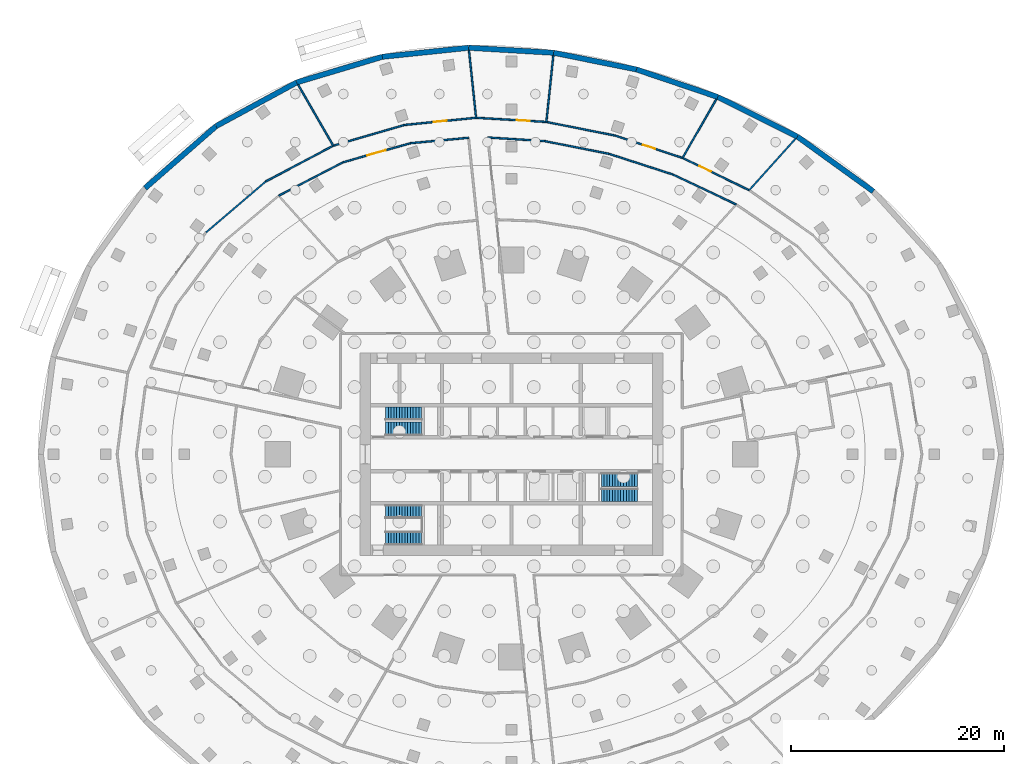
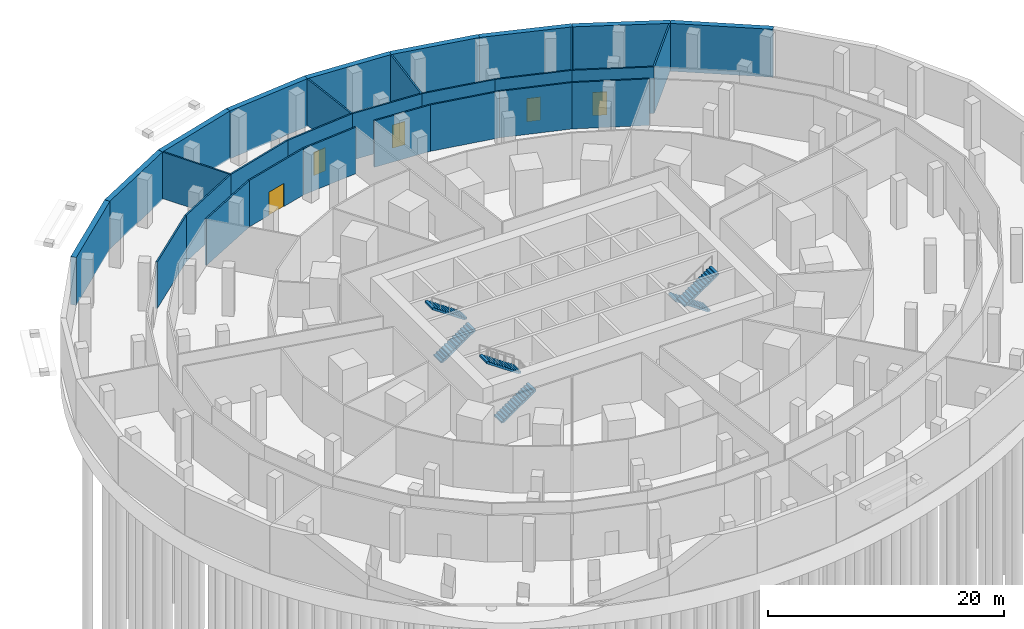
# One storey, part 9 of 11: 29 walls, 6 stair flights, 5 doors, 5 openings, 3 elements without a shape of their own.
"""IFC4 building model written with IfcOpenShell, lengths in metres."""

from ifc_helpers import new_model, si_unit, direction, frame, frame_2d, origin, place, context, subcontext, project, spatial, polyline, rectangle, outline, extrude, material, layer, layer_set, type_object, element, fill, aggregate, save


model = new_model("IFC4")

# Units and contexts
model_context = context("Model", 3, precision=1e-05, world=origin(), true_north=direction((0.0, 1.0)))
body_context = subcontext(model_context, "Body", "Model", "MODEL_VIEW")
ifc_project = project(units=[si_unit("LENGTHUNIT", "METRE"), si_unit("AREAUNIT", "SQUARE_METRE"), si_unit("VOLUMEUNIT", "CUBIC_METRE"), si_unit("PLANEANGLEUNIT", "RADIAN"), si_unit("MASSUNIT", "GRAM", prefix="KILO")], contexts=[model_context])

# Site, building, storey
site_placement = place(None, origin())
site = spatial("IfcSite", under=ifc_project, at=site_placement, CompositionType="ELEMENT")
building_placement = place(site_placement, origin())
building = spatial("IfcBuilding", under=site, at=building_placement, Name="Marramba Exchange Tower", CompositionType="ELEMENT")
storey_placement = place(building_placement, frame((0.0, 0.0, -5.0)))
storey = spatial("IfcBuildingStorey", under=building, at=storey_placement, Name="B1", CompositionType="ELEMENT", Elevation=-5.0)

# Walls
ifc_material_1 = material(Name="Concrete N50", Category="concrete")
ifc_layer_1 = layer(ifc_material_1, 0.5)
ifc_layer_set_1 = layer_set([ifc_layer_1], Name="Basement retaining wall 500")
wall_type_1 = type_object("IfcWallType", Name="Basement retaining wall 500", PredefinedType="SOLIDWALL", material=ifc_layer_set_1)
wall_1_placement = place(storey_placement, frame((33.901123046875, 24.630615234375, -0.14990234375), z_axis=(0.0, 0.0, 1.0), x_axis=(-0.810809240523, 0.585310494937, 0.0)))
element("IfcWall", 1, at=wall_1_placement, inside=storey, type_object=wall_type_1, Name="Retaining wall RW1-04", PredefinedType="SOLIDWALL", context=body_context, shape_type="SweptSolid", body=[
    extrude(rectangle(XDim=8.76318359375, YDim=0.5, at=frame_2d((4.381591796875, 0.0))), origin(), (0.0, 0.0, 1.0), 4.949951171875),
])
wall_2_placement = place(storey_placement, frame((26.7958984375, 29.759765625, -0.14990234375), z_axis=(0.0, 0.0, 1.0), x_axis=(-0.895437485693, 0.44518727432, 0.0)))
element("IfcWall", 2, at=wall_2_placement, inside=storey, type_object=wall_type_1, Name="Retaining wall RW1-05", PredefinedType="SOLIDWALL", context=body_context, shape_type="SweptSolid", body=[
    extrude(rectangle(XDim=8.34228515625, YDim=0.5, at=frame_2d((4.171142578125, 0.0))), origin(), (0.0, 0.0, 1.0), 4.949951171875),
])
wall_3_placement = place(storey_placement, frame((19.325927734375, 33.4736328125, -0.14990234375), z_axis=(0.0, 0.0, 1.0), x_axis=(-0.94711032906, 0.320908124838, 0.0)))
element("IfcWall", 3, at=wall_3_placement, inside=storey, type_object=wall_type_1, Name="Retaining wall RW1-06", PredefinedType="SOLIDWALL", context=body_context, shape_type="SweptSolid", body=[
    extrude(rectangle(XDim=8.036865234375, YDim=0.5, at=frame_2d((4.0185546875, 0.0))), origin(), (0.0, 0.0, 1.0), 4.949951171875),
])
wall_4_placement = place(storey_placement, frame((11.714111328125, 36.052734375, -0.14990234375), z_axis=(0.0, 0.0, 1.0), x_axis=(-0.980279440506, 0.197616341736, 0.0)))
element("IfcWall", 4, at=wall_4_placement, inside=storey, type_object=wall_type_1, Name="Retaining wall RW1-07", PredefinedType="SOLIDWALL", context=body_context, shape_type="SweptSolid", body=[
    extrude(rectangle(XDim=7.91650390625, YDim=0.5, at=frame_2d((3.958251953125, 0.0))), origin(), (0.0, 0.0, 1.0), 4.949951171875),
])
wall_5_placement = place(storey_placement, frame((3.95361328125, 37.6171875, -0.14990234375), z_axis=(0.0, 0.0, 1.0), x_axis=(-0.998274478799, 0.058720226323, 0.0)))
element("IfcWall", 5, at=wall_5_placement, inside=storey, type_object=wall_type_1, Name="Retaining wall RW1-08", PredefinedType="SOLIDWALL", context=body_context, shape_type="SweptSolid", body=[
    extrude(rectangle(XDim=7.97021484375, YDim=0.5, at=frame_2d((3.985107421875, 0.0))), origin(), (0.0, 0.0, 1.0), 4.949951171875),
])
wall_6_placement = place(storey_placement, frame((-4.0029296875, 38.085205078125, -0.14990234375), z_axis=(0.0, 0.0, 1.0), x_axis=(-0.994576866519, -0.104004118113, 0.0)))
element("IfcWall", 6, at=wall_6_placement, inside=storey, type_object=wall_type_1, Name="Retaining wall RW1-09", PredefinedType="SOLIDWALL", context=body_context, shape_type="SweptSolid", body=[
    extrude(rectangle(XDim=8.140869140625, YDim=0.5, at=frame_2d((4.0703125, 0.0))), origin(), (0.0, 0.0, 1.0), 4.949951171875),
])
wall_7_placement = place(storey_placement, frame((-12.099609375, 37.238525390625, -0.14990234375), z_axis=(0.0, 0.0, 1.0), x_axis=(-0.958018826272, -0.286705299059, 0.0)))
element("IfcWall", 7, at=wall_7_placement, inside=storey, type_object=wall_type_1, Name="Retaining wall RW1-10", PredefinedType="SOLIDWALL", context=body_context, shape_type="SweptSolid", body=[
    extrude(rectangle(XDim=8.366455078125, YDim=0.5, at=frame_2d((4.18310546875, 0.0))), origin(), (0.0, 0.0, 1.0), 4.949951171875),
])
wall_8_placement = place(storey_placement, frame((-20.11474609375, 34.83984375, -0.14990234375), z_axis=(0.0, 0.0, 1.0), x_axis=(-0.879050198661, -0.476729218986, 0.0)))
element("IfcWall", 8, at=wall_8_placement, inside=storey, type_object=wall_type_1, Name="Retaining wall RW1-11", PredefinedType="SOLIDWALL", context=body_context, shape_type="SweptSolid", body=[
    extrude(rectangle(XDim=8.60302734375, YDim=0.5, at=frame_2d((4.301513671875, 0.0))), origin(), (0.0, 0.0, 1.0), 4.949951171875),
])
wall_9_placement = place(storey_placement, frame((-27.67724609375, 30.738525390625, -0.14990234375), z_axis=(0.0, 0.0, 1.0), x_axis=(-0.753323689885, -0.657649920747, 0.0)))
element("IfcWall", 9, at=wall_9_placement, inside=storey, type_object=wall_type_1, Name="Retaining wall RW1-12", PredefinedType="SOLIDWALL", context=body_context, shape_type="SweptSolid", body=[
    extrude(rectangle(XDim=8.821533203125, YDim=0.5, at=frame_2d((4.41064453125, 0.0))), origin(), (0.0, 0.0, 1.0), 4.949951171875),
])
ifc_material_2 = material(Name="Fire-rated plasterboard on steel studs, acoustic insulation", Category="steel")
ifc_layer_2 = layer(ifc_material_2, 0.14990234375)
ifc_layer_set_2 = layer_set([ifc_layer_2], Name="Tenancy wall 150")
wall_type_2 = type_object("IfcWallType", Name="Tenancy wall 150", PredefinedType="PARTITIONING", material=ifc_layer_set_2)
wall_10_placement = place(storey_placement, frame((22.2744140625, 24.73828125, 0.0), z_axis=(0.0, 0.0, 1.0), x_axis=(0.669128788744, 0.743146462061, 0.0)))
element("IfcWall", 10, at=wall_10_placement, inside=storey, type_object=wall_type_2, Name="Tenancy wall B1 82", PredefinedType="PARTITIONING", context=body_context, shape_type="SweptSolid", body=[
    extrude(rectangle(XDim=6.49462890625, YDim=0.14990234375, at=frame_2d((3.247314453125, 0.0))), origin(), (0.0, 0.0, 1.0), 4.800048828125),
])
wall_11_placement = place(storey_placement, frame((15.1298828125, 26.2060546875, 0.0), z_axis=(0.0, 0.0, 1.0), x_axis=(0.90422911436, -0.427047665657, 0.0)))
element("IfcWall", 11, at=wall_11_placement, inside=storey, type_object=wall_type_2, Name="Tenancy wall B1 84", PredefinedType="PARTITIONING", context=body_context, shape_type="SweptSolid", body=[
    extrude(rectangle(XDim=6.5693359375, YDim=0.14990234375, at=frame_2d((3.28466796875, 0.0))), origin(), (0.0, 0.0, 1.0), 4.800048828125),
])

# Wall, opening, door
wall_12_placement = place(storey_placement, frame((22.2744140625, 24.73828125, 0.0), z_axis=(0.0, 0.0, 1.0), x_axis=(-0.899868927616, 0.436160421303, 0.0)))
wall_12 = element("IfcWall", 12, at=wall_12_placement, inside=storey, type_object=wall_type_2, Name="Tenancy wall B1 85", PredefinedType="PARTITIONING", context=body_context, shape_type="SweptSolid", body=[
    extrude(rectangle(XDim=6.939208984375, YDim=0.14990234375, at=frame_2d((3.4697265625, 0.0))), origin(), (0.0, 0.0, 1.0), 4.800048828125),
])
opening_1_placement = place(wall_12_placement, frame((3.97802734375, 0.0, 0.0)))
opening_1 = element("IfcOpeningElement", 13, at=opening_1_placement, cuts=wall_12, Name="Opening D13", PredefinedType="OPENING", context=body_context, shape_type="SweptSolid", body=[
    extrude(rectangle(XDim=1.199951171875, YDim=2.39990234375, at=frame_2d((0.60009765625, 1.199951171875))), frame((0.0, 0.0849609375, 0.0), z_axis=(0.0, -1.0, 0.0), x_axis=(1.0, 0.0, 0.0)), (0.0, 0.0, 1.0), 0.169921875),
])
ifc_material_3 = material(Name="Steel-framed door", Category="steel")
door_type_1 = type_object("IfcDoorType", Name="Tenancy entry door 1200x2400", OperationType="SINGLE_SWING_LEFT", PredefinedType="DOOR", material=ifc_material_3)
door_1_placement = place(opening_1_placement, frame((1.199951171875, 0.0, 0.0), z_axis=(0.0, 0.0, 1.0), x_axis=(-1.0, 0.0, 0.0)))
door_1 = element("IfcDoor", 14, at=door_1_placement, inside=storey, type_object=door_type_1, Name="D13 Accessible Change Room B1", OperationType="SINGLE_SWING_LEFT", OverallHeight=2.39990234375, OverallWidth=1.199951171875, PredefinedType="DOOR", context=body_context, shape_type="SweptSolid", body=[
    extrude(rectangle(XDim=1.199951171875, YDim=2.39990234375, at=frame_2d((0.599853515625, 1.199951171875))), frame((0.0, 0.025146484375, 0.0), z_axis=(0.0, -1.0, 0.0), x_axis=(1.0, 0.0, 0.0)), (0.0, 0.0, 1.0), 0.050048828125),
])
fill(opening_1, door_1)

# Walls
wall_13_placement = place(storey_placement, frame((16.030029296875, 27.764892578125, 0.0), z_axis=(0.0, 0.0, 1.0), x_axis=(0.500002721793, 0.866023832351, 0.0)))
element("IfcWall", 15, at=wall_13_placement, inside=storey, type_object=wall_type_2, Name="Tenancy wall B1 87", PredefinedType="PARTITIONING", context=body_context, shape_type="SweptSolid", body=[
    extrude(rectangle(XDim=6.333984375, YDim=0.14990234375, at=frame_2d((3.1669921875, 0.0))), origin(), (0.0, 0.0, 1.0), 4.800048828125),
])
wall_14_placement = place(storey_placement, frame((9.145751953125, 28.14794921875, 0.0), z_axis=(0.0, 0.0, 1.0), x_axis=(0.951171714446, -0.308662225805, 0.0)))
element("IfcWall", 16, at=wall_14_placement, inside=storey, type_object=wall_type_2, Name="Tenancy wall B1 89", PredefinedType="PARTITIONING", context=body_context, shape_type="SweptSolid", body=[
    extrude(rectangle(XDim=6.291259765625, YDim=0.14990234375, at=frame_2d((3.1455078125, 0.0))), origin(), (0.0, 0.0, 1.0), 4.800048828125),
])

# Wall, opening, door
wall_15_placement = place(storey_placement, frame((16.030029296875, 27.764892578125, 0.0), z_axis=(0.0, 0.0, 1.0), x_axis=(-0.949329573652, 0.314282294426, 0.0)))
wall_15 = element("IfcWall", 17, at=wall_15_placement, inside=storey, type_object=wall_type_2, Name="Tenancy wall B1 90", PredefinedType="PARTITIONING", context=body_context, shape_type="SweptSolid", body=[
    extrude(rectangle(XDim=6.665771484375, YDim=0.14990234375, at=frame_2d((3.3330078125, 0.0))), origin(), (0.0, 0.0, 1.0), 4.800048828125),
])
opening_2_placement = place(wall_15_placement, frame((2.7080078125, 0.0, 0.0)))
opening_2 = element("IfcOpeningElement", 18, at=opening_2_placement, cuts=wall_15, Name="Opening D13", PredefinedType="OPENING", context=body_context, shape_type="SweptSolid", body=[
    extrude(rectangle(XDim=1.199951171875, YDim=2.39990234375, at=frame_2d((0.60009765625, 1.199951171875))), frame((0.0, 0.0849609375, 0.0), z_axis=(0.0, -1.0, 0.0), x_axis=(1.0, 0.0, 0.0)), (0.0, 0.0, 1.0), 0.169921875),
])
door_2_placement = place(opening_2_placement, origin())
door_2 = element("IfcDoor", 19, at=door_2_placement, inside=storey, type_object=door_type_1, Name="D13 Male Change Room B1", OperationType="SINGLE_SWING_LEFT", OverallHeight=2.39990234375, OverallWidth=1.199951171875, PredefinedType="DOOR", context=body_context, shape_type="SweptSolid", body=[
    extrude(rectangle(XDim=1.199951171875, YDim=2.39990234375, at=frame_2d((0.60009765625, 1.199951171875))), frame((0.0, 0.02490234375, 0.0), z_axis=(0.0, -1.0, 0.0), x_axis=(1.0, 0.0, 0.0)), (0.0, 0.0, 1.0), 0.050048828125),
])
fill(opening_2, door_2)

# Walls
wall_16_placement = place(storey_placement, frame((3.084228515625, 29.34423828125, 0.0), z_axis=(0.0, 0.0, 1.0), x_axis=(0.981076003641, -0.193623023113, 0.0)))
element("IfcWall", 20, at=wall_16_placement, inside=storey, type_object=wall_type_2, Name="Tenancy wall B1 92", PredefinedType="PARTITIONING", context=body_context, shape_type="SweptSolid", body=[
    extrude(rectangle(XDim=6.178466796875, YDim=0.14990234375, at=frame_2d((3.08935546875, 0.0))), origin(), (0.0, 0.0, 1.0), 4.800048828125),
])
wall_17_placement = place(storey_placement, frame((9.701904296875, 29.85986328125, 0.0), z_axis=(0.0, 0.0, 1.0), x_axis=(-0.980908787451, 0.194468379696, 0.0)))
element("IfcWall", 21, at=wall_17_placement, inside=storey, type_object=wall_type_2, Name="Tenancy wall B1 93", PredefinedType="PARTITIONING", context=body_context, shape_type="SweptSolid", body=[
    extrude(rectangle(XDim=6.5546875, YDim=0.14990234375, at=frame_2d((3.27734375, 0.0))), origin(), (0.0, 0.0, 1.0), 4.800048828125),
])
wall_18_placement = place(storey_placement, frame((3.2724609375, 31.134521484375, 0.0), z_axis=(0.0, 0.0, 1.0), x_axis=(0.10452654069, 0.994522097437, 0.0)))
element("IfcWall", 22, at=wall_18_placement, inside=storey, type_object=wall_type_2, Name="Tenancy wall B1 94", PredefinedType="PARTITIONING", context=body_context, shape_type="SweptSolid", body=[
    extrude(rectangle(XDim=6.264404296875, YDim=0.14990234375, at=frame_2d((3.13232421875, 0.0))), origin(), (0.0, 0.0, 1.0), 4.800048828125),
])
wall_19_placement = place(storey_placement, frame((-2.21435546875, 29.677978515625, 0.0), z_axis=(0.0, 0.0, 1.0), x_axis=(0.998022221749, -0.062862110175, 0.0)))
element("IfcWall", 23, at=wall_19_placement, inside=storey, type_object=wall_type_2, Name="Tenancy wall B1 96", PredefinedType="PARTITIONING", context=body_context, shape_type="SweptSolid", body=[
    extrude(rectangle(XDim=5.30908203125, YDim=0.14990234375, at=frame_2d((2.654541015625, 0.0))), origin(), (0.0, 0.0, 1.0), 4.800048828125),
])

# Wall, opening, door
wall_20_placement = place(storey_placement, frame((3.2724609375, 31.134521484375, 0.0), z_axis=(0.0, 0.0, 1.0), x_axis=(-0.998243483958, 0.059244803448, 0.0)))
wall_20 = element("IfcWall", 24, at=wall_20_placement, inside=storey, type_object=wall_type_2, Name="Tenancy wall B1 97", PredefinedType="PARTITIONING", context=body_context, shape_type="SweptSolid", body=[
    extrude(rectangle(XDim=6.597412109375, YDim=0.14990234375, at=frame_2d((3.298828125, 0.0))), origin(), (0.0, 0.0, 1.0), 4.800048828125),
])
opening_3_placement = place(wall_20_placement, frame((1.56201171875, 0.0, 0.0)))
opening_3 = element("IfcOpeningElement", 25, at=opening_3_placement, cuts=wall_20, Name="Opening D13", PredefinedType="OPENING", context=body_context, shape_type="SweptSolid", body=[
    extrude(rectangle(XDim=1.199951171875, YDim=2.39990234375, at=frame_2d((0.60009765625, 1.199951171875))), frame((0.0, 0.0849609375, 0.0), z_axis=(0.0, -1.0, 0.0), x_axis=(1.0, 0.0, 0.0)), (0.0, 0.0, 1.0), 0.169921875),
])
door_3_placement = place(opening_3_placement, frame((1.199951171875, 0.0, 0.0), z_axis=(0.0, 0.0, 1.0), x_axis=(-1.0, 0.0, 0.0)))
door_3 = element("IfcDoor", 26, at=door_3_placement, inside=storey, type_object=door_type_1, Name="D13 Locker and Drying Room B1", OperationType="SINGLE_SWING_RIGHT", OverallHeight=2.39990234375, OverallWidth=1.199951171875, PredefinedType="DOOR", context=body_context, shape_type="SweptSolid", body=[
    extrude(rectangle(XDim=1.199951171875, YDim=2.39990234375, at=frame_2d((0.599853515625, 1.199951171875))), frame((0.0, 0.025146484375, 0.0), z_axis=(0.0, -1.0, 0.0), x_axis=(1.0, 0.0, 0.0)), (0.0, 0.0, 1.0), 0.050048828125),
])
fill(opening_3, door_3)

# Wall
wall_21_placement = place(storey_placement, frame((-3.3134765625, 31.525390625, 0.0), z_axis=(0.0, 0.0, 1.0), x_axis=(-0.104520396722, 0.994522743163, 0.0)))
element("IfcWall", 27, at=wall_21_placement, inside=storey, type_object=wall_type_2, Name="Tenancy wall B1 99", PredefinedType="PARTITIONING", context=body_context, shape_type="SweptSolid", body=[
    extrude(rectangle(XDim=6.33935546875, YDim=0.14990234375, at=frame_2d((3.169677734375, 0.0))), origin(), (0.0, 0.0, 1.0), 4.800048828125),
])

# Wall, opening, door
wall_22_placement = place(storey_placement, frame((-3.3134765625, 31.525390625, 0.0), z_axis=(0.0, 0.0, 1.0), x_axis=(-0.994993009021, -0.099944544618, 0.0)))
wall_22 = element("IfcWall", 28, at=wall_22_placement, inside=storey, type_object=wall_type_2, Name="Tenancy wall B1 101", PredefinedType="PARTITIONING", context=body_context, shape_type="SweptSolid", body=[
    extrude(rectangle(XDim=6.744384765625, YDim=0.14990234375, at=frame_2d((3.3720703125, 0.0))), origin(), (0.0, 0.0, 1.0), 4.800048828125),
])
opening_4_placement = place(wall_22_placement, frame((2.77197265625, 0.0, 0.0)))
opening_4 = element("IfcOpeningElement", 29, at=opening_4_placement, cuts=wall_22, Name="Opening D13", PredefinedType="OPENING", context=body_context, shape_type="SweptSolid", body=[
    extrude(rectangle(XDim=1.199951171875, YDim=2.39990234375, at=frame_2d((0.60009765625, 1.199951171875))), frame((0.0, 0.0849609375, 0.0), z_axis=(0.0, -1.0, 0.0), x_axis=(1.0, 0.0, 0.0)), (0.0, 0.0, 1.0), 0.169921875),
])
door_4_placement = place(opening_4_placement, origin())
door_4 = element("IfcDoor", 30, at=door_4_placement, inside=storey, type_object=door_type_1, Name="D13 Female Change Room B1", OperationType="SINGLE_SWING_RIGHT", OverallHeight=2.39990234375, OverallWidth=1.199951171875, PredefinedType="DOOR", context=body_context, shape_type="SweptSolid", body=[
    extrude(rectangle(XDim=1.199951171875, YDim=2.39990234375, at=frame_2d((0.60009765625, 1.199951171875))), frame((0.0, 0.02490234375, 0.0), z_axis=(0.0, -1.0, 0.0), x_axis=(1.0, 0.0, 0.0)), (0.0, 0.0, 1.0), 0.050048828125),
])
fill(opening_4, door_4)

# Walls
wall_23_placement = place(storey_placement, frame((-9.468017578125, 29.139404296875, 0.0), z_axis=(0.0, 0.0, 1.0), x_axis=(0.995615412692, 0.093541167466, 0.0)))
element("IfcWall", 31, at=wall_23_placement, inside=storey, type_object=wall_type_2, Name="Tenancy wall B1 102", PredefinedType="PARTITIONING", context=body_context, shape_type="SweptSolid", body=[
    extrude(rectangle(XDim=5.470458984375, YDim=0.14990234375, at=frame_2d((2.7353515625, 0.0))), origin(), (0.0, 0.0, 1.0), 4.800048828125),
])
wall_24_placement = place(storey_placement, frame((-10.024169921875, 30.851318359375, 0.0), z_axis=(0.0, 0.0, 1.0), x_axis=(-0.960065738287, -0.279774513076, 0.0)))
element("IfcWall", 32, at=wall_24_placement, inside=storey, type_object=wall_type_2, Name="Tenancy wall B1 104", PredefinedType="PARTITIONING", context=body_context, shape_type="SweptSolid", body=[
    extrude(rectangle(XDim=6.943603515625, YDim=0.14990234375, at=frame_2d((3.4716796875, 0.0))), origin(), (0.0, 0.0, 1.0), 4.800048828125),
])

# Wall, opening, door
wall_25_placement = place(storey_placement, frame((-15.79052734375, 27.349853515625, 0.0), z_axis=(0.0, 0.0, 1.0), x_axis=(0.962199616319, 0.272345182362, 0.0)))
wall_25 = element("IfcWall", 33, at=wall_25_placement, inside=storey, type_object=wall_type_2, Name="Tenancy wall B1 105", PredefinedType="PARTITIONING", context=body_context, shape_type="SweptSolid", body=[
    extrude(rectangle(XDim=6.57080078125, YDim=0.14990234375, at=frame_2d((3.285400390625, 0.0))), origin(), (0.0, 0.0, 1.0), 4.800048828125),
])
opening_5_placement = place(wall_25_placement, frame((2.360107421875, 0.0, 0.0)))
opening_5 = element("IfcOpeningElement", 34, at=opening_5_placement, cuts=wall_25, Name="Opening D18", PredefinedType="OPENING", context=body_context, shape_type="SweptSolid", body=[
    extrude(rectangle(XDim=1.800048828125, YDim=2.39990234375, at=frame_2d((0.89990234375, 1.199951171875))), frame((0.0, 0.0849609375, 0.0), z_axis=(0.0, -1.0, 0.0), x_axis=(1.0, 0.0, 0.0)), (0.0, 0.0, 1.0), 0.169921875),
])
door_type_2 = type_object("IfcDoorType", Name="Door pair 1800x2400", OperationType="DOUBLE_DOOR_SINGLE_SWING", PredefinedType="DOOR", material=ifc_material_3)
door_5_placement = place(opening_5_placement, origin())
door_5 = element("IfcDoor", 35, at=door_5_placement, inside=storey, type_object=door_type_2, Name="D18 Domestic Water Tank Room B1", OperationType="DOUBLE_DOOR_SINGLE_SWING", OverallHeight=2.39990234375, OverallWidth=1.800048828125, PredefinedType="DOOR", context=body_context, shape_type="SweptSolid", body=[
    extrude(rectangle(XDim=1.800048828125, YDim=2.39990234375, at=frame_2d((0.89990234375, 1.199951171875))), frame((0.0, 0.02490234375, 0.0), z_axis=(0.0, -1.0, 0.0), x_axis=(1.0, 0.0, 0.0)), (0.0, 0.0, 1.0), 0.050048828125),
])
fill(opening_5, door_5)

# Walls
wall_26_placement = place(storey_placement, frame((-16.6904296875, 28.90869140625, 0.0), z_axis=(0.0, 0.0, 1.0), x_axis=(-0.5000047107, 0.866022684043, 0.0)))
element("IfcWall", 36, at=wall_26_placement, inside=storey, type_object=wall_type_2, Name="Tenancy wall B1 107", PredefinedType="PARTITIONING", context=body_context, shape_type="SweptSolid", body=[
    extrude(rectangle(XDim=6.5888671875, YDim=0.14990234375, at=frame_2d((3.29443359375, 0.0))), origin(), (0.0, 0.0, 1.0), 4.800048828125),
])
wall_27_placement = place(storey_placement, frame((-16.6904296875, 28.90869140625, 0.0), z_axis=(0.0, 0.0, 1.0), x_axis=(-0.883685814524, -0.468080528551, 0.0)))
element("IfcWall", 37, at=wall_27_placement, inside=storey, type_object=wall_type_2, Name="Tenancy wall B1 109", PredefinedType="PARTITIONING", context=body_context, shape_type="SweptSolid", body=[
    extrude(rectangle(XDim=7.155517578125, YDim=0.14990234375, at=frame_2d((3.57763671875, 0.0))), origin(), (0.0, 0.0, 1.0), 4.800048828125),
])
wall_28_placement = place(storey_placement, frame((-21.809326171875, 24.2216796875, 0.0), z_axis=(0.0, 0.0, 1.0), x_axis=(0.887313425563, 0.461166873068, 0.0)))
element("IfcWall", 38, at=wall_28_placement, inside=storey, type_object=wall_type_2, Name="Tenancy wall B1 110", PredefinedType="PARTITIONING", context=body_context, shape_type="SweptSolid", body=[
    extrude(rectangle(XDim=6.783203125, YDim=0.14990234375, at=frame_2d((3.3916015625, 0.0))), origin(), (0.0, 0.0, 1.0), 4.800048828125),
])
wall_29_placement = place(storey_placement, frame((-23.013671875, 25.559326171875, 0.0), z_axis=(0.0, 0.0, 1.0), x_axis=(-0.760805512378, -0.64897994756, 0.0)))
element("IfcWall", 39, at=wall_29_placement, inside=storey, type_object=wall_type_2, Name="Tenancy wall B1 114", PredefinedType="PARTITIONING", context=body_context, shape_type="SweptSolid", body=[
    extrude(rectangle(XDim=7.355224609375, YDim=0.14990234375, at=frame_2d((3.677734375, 0.0))), origin(), (0.0, 0.0, 1.0), 4.800048828125),
])

# Stair, stair flights
ifc_material_4 = material(Name="Concrete N40 (40 MPa)", Category="concrete")
stair_type_1 = type_object("IfcStairType", Name="Exit stair ST1 5000 x 1250", PredefinedType="HALF_TURN_STAIR", material=ifc_material_4)
stair_1_placement = place(storey_placement, origin())
stair_1 = element("IfcStair", 40, at=stair_1_placement, inside=storey, type_object=stair_type_1, Name="Exit stair ST1 B1", PredefinedType="HALF_TURN_STAIR")
stair_flight_type_1 = type_object("IfcStairFlightType", Name="ST1 stair flight 1786 riser 1250 wide", PredefinedType="STRAIGHT", material=ifc_material_4)
stair_flight_1_placement = place(storey_placement, frame((-11.800048828125, 2.375, 0.0), z_axis=(0.0, 0.0, 1.0), x_axis=(1.0, 0.0, 0.0)))
stair_flight_1 = element("IfcStairFlight", 41, at=stair_flight_1_placement, type_object=stair_flight_type_1, Name="ST1 flight 1", NumberOfRisers=14, NumberOfTreads=13, PredefinedType="STRAIGHT", RiserHeight=0.178571429, TreadLength=0.26, context=body_context, shape_type="SweptSolid", body=[
    extrude(outline(polyline([(0.0, 0.0), (0.0, 0.178466796875), (0.260009765625, 0.178466796875), (0.260009765625, 0.357177734375), (0.52001953125, 0.357177734375), (0.52001953125, 0.53564453125), (0.780029296875, 0.53564453125), (0.780029296875, 0.71435546875), (1.0400390625, 0.71435546875), (1.0400390625, 0.892822265625), (1.300048828125, 0.892822265625), (1.300048828125, 1.071533203125), (1.56005859375, 1.071533203125), (1.56005859375, 1.25), (1.820068359375, 1.25), (1.820068359375, 1.428466796875), (2.080078125, 1.428466796875), (2.080078125, 1.607177734375), (2.340087890625, 1.607177734375), (2.340087890625, 1.78564453125), (2.60009765625, 1.78564453125), (2.60009765625, 1.96435546875), (2.860107421875, 1.96435546875), (2.860107421875, 2.142822265625), (3.1201171875, 2.142822265625), (3.1201171875, 2.321533203125), (3.3798828125, 2.321533203125), (3.3798828125, 2.5), (3.3798828125, 2.1396484375), (0.264892578125, 0.0), (0.0, 0.0)])), frame((0.0, 0.625, 0.0), z_axis=(0.0, -1.0, 0.0), x_axis=(1.0, 0.0, 0.0)), (0.0, 0.0, 1.0), 1.25),
])
stair_flight_2_placement = place(storey_placement, frame((-8.419921875, 3.824951171875, 2.5), z_axis=(0.0, 0.0, 1.0), x_axis=(-1.0, 0.0, 0.0)))
stair_flight_2 = element("IfcStairFlight", 42, at=stair_flight_2_placement, type_object=stair_flight_type_1, Name="ST1 flight 2", NumberOfRisers=14, NumberOfTreads=13, PredefinedType="STRAIGHT", RiserHeight=0.178571429, TreadLength=0.26, context=body_context, shape_type="SweptSolid", body=[
    extrude(outline(polyline([(0.0, 0.0), (0.0, 0.178466796875), (0.260009765625, 0.178466796875), (0.260009765625, 0.357177734375), (0.52001953125, 0.357177734375), (0.52001953125, 0.53564453125), (0.780029296875, 0.53564453125), (0.780029296875, 0.71435546875), (1.0400390625, 0.71435546875), (1.0400390625, 0.892822265625), (1.300048828125, 0.892822265625), (1.300048828125, 1.071533203125), (1.56005859375, 1.071533203125), (1.56005859375, 1.25), (1.820068359375, 1.25), (1.820068359375, 1.428466796875), (2.080078125, 1.428466796875), (2.080078125, 1.607177734375), (2.340087890625, 1.607177734375), (2.340087890625, 1.78564453125), (2.60009765625, 1.78564453125), (2.60009765625, 1.96435546875), (2.860107421875, 1.96435546875), (2.860107421875, 2.142822265625), (3.1201171875, 2.142822265625), (3.1201171875, 2.321533203125), (3.3798828125, 2.321533203125), (3.3798828125, 2.5), (3.3798828125, 2.1396484375), (0.264892578125, 0.0), (0.0, 0.0)])), frame((0.0, 0.625, 0.0), z_axis=(0.0, -1.0, 0.0), x_axis=(1.0, 0.0, 0.0)), (0.0, 0.0, 1.0), 1.25),
])
aggregate(stair_1, [stair_flight_1, stair_flight_2])

stair_type_2 = type_object("IfcStairType", Name="Exit stair ST2 5000 x 1250", PredefinedType="HALF_TURN_STAIR", material=ifc_material_4)
stair_2_placement = place(storey_placement, origin())
stair_2 = element("IfcStair", 43, at=stair_2_placement, inside=storey, type_object=stair_type_2, Name="Exit stair ST2 B1", PredefinedType="HALF_TURN_STAIR")
stair_flight_type_2 = type_object("IfcStairFlightType", Name="ST2 stair flight 1786 riser 1250 wide", PredefinedType="STRAIGHT", material=ifc_material_4)
stair_flight_3_placement = place(storey_placement, frame((11.800048828125, -2.375, 0.0), z_axis=(0.0, 0.0, 1.0), x_axis=(-1.0, 0.0, 0.0)))
stair_flight_3 = element("IfcStairFlight", 44, at=stair_flight_3_placement, type_object=stair_flight_type_2, Name="ST2 flight 1", NumberOfRisers=14, NumberOfTreads=13, PredefinedType="STRAIGHT", RiserHeight=0.178571429, TreadLength=0.26, context=body_context, shape_type="SweptSolid", body=[
    extrude(outline(polyline([(0.0, 0.0), (0.0, 0.178466796875), (0.260009765625, 0.178466796875), (0.260009765625, 0.357177734375), (0.52001953125, 0.357177734375), (0.52001953125, 0.53564453125), (0.780029296875, 0.53564453125), (0.780029296875, 0.71435546875), (1.0400390625, 0.71435546875), (1.0400390625, 0.892822265625), (1.300048828125, 0.892822265625), (1.300048828125, 1.071533203125), (1.56005859375, 1.071533203125), (1.56005859375, 1.25), (1.820068359375, 1.25), (1.820068359375, 1.428466796875), (2.080078125, 1.428466796875), (2.080078125, 1.607177734375), (2.340087890625, 1.607177734375), (2.340087890625, 1.78564453125), (2.60009765625, 1.78564453125), (2.60009765625, 1.96435546875), (2.860107421875, 1.96435546875), (2.860107421875, 2.142822265625), (3.1201171875, 2.142822265625), (3.1201171875, 2.321533203125), (3.3798828125, 2.321533203125), (3.3798828125, 2.5), (3.3798828125, 2.1396484375), (0.264892578125, 0.0), (0.0, 0.0)])), frame((0.0, 0.625, 0.0), z_axis=(0.0, -1.0, 0.0), x_axis=(1.0, 0.0, 0.0)), (0.0, 0.0, 1.0), 1.25),
])
stair_flight_4_placement = place(storey_placement, frame((8.419921875, -3.824951171875, 2.5), z_axis=(0.0, 0.0, 1.0), x_axis=(1.0, 0.0, 0.0)))
stair_flight_4 = element("IfcStairFlight", 45, at=stair_flight_4_placement, type_object=stair_flight_type_2, Name="ST2 flight 2", NumberOfRisers=14, NumberOfTreads=13, PredefinedType="STRAIGHT", RiserHeight=0.178571429, TreadLength=0.26, context=body_context, shape_type="SweptSolid", body=[
    extrude(outline(polyline([(0.0, 0.0), (0.0, 0.178466796875), (0.260009765625, 0.178466796875), (0.260009765625, 0.357177734375), (0.52001953125, 0.357177734375), (0.52001953125, 0.53564453125), (0.780029296875, 0.53564453125), (0.780029296875, 0.71435546875), (1.0400390625, 0.71435546875), (1.0400390625, 0.892822265625), (1.300048828125, 0.892822265625), (1.300048828125, 1.071533203125), (1.56005859375, 1.071533203125), (1.56005859375, 1.25), (1.820068359375, 1.25), (1.820068359375, 1.428466796875), (2.080078125, 1.428466796875), (2.080078125, 1.607177734375), (2.340087890625, 1.607177734375), (2.340087890625, 1.78564453125), (2.60009765625, 1.78564453125), (2.60009765625, 1.96435546875), (2.860107421875, 1.96435546875), (2.860107421875, 2.142822265625), (3.1201171875, 2.142822265625), (3.1201171875, 2.321533203125), (3.3798828125, 2.321533203125), (3.3798828125, 2.5), (3.3798828125, 2.1396484375), (0.264892578125, 0.0), (0.0, 0.0)])), frame((0.0, 0.625, 0.0), z_axis=(0.0, -1.0, 0.0), x_axis=(1.0, 0.0, 0.0)), (0.0, 0.0, 1.0), 1.25),
])
aggregate(stair_2, [stair_flight_3, stair_flight_4])

stair_type_3 = type_object("IfcStairType", Name="Exit stair ST3 5000 x 1250", PredefinedType="HALF_TURN_STAIR", material=ifc_material_4)
stair_3_placement = place(storey_placement, origin())
stair_3 = element("IfcStair", 46, at=stair_3_placement, inside=storey, type_object=stair_type_3, Name="Exit stair ST3 B1", PredefinedType="HALF_TURN_STAIR")
stair_flight_type_3 = type_object("IfcStairFlightType", Name="ST3 stair flight 1786 riser 1250 wide", PredefinedType="STRAIGHT", material=ifc_material_4)
stair_flight_5_placement = place(storey_placement, frame((-11.800048828125, -7.875, 0.0), z_axis=(0.0, 0.0, 1.0), x_axis=(1.0, 0.0, 0.0)))
stair_flight_5 = element("IfcStairFlight", 47, at=stair_flight_5_placement, type_object=stair_flight_type_3, Name="ST3 flight 1", NumberOfRisers=14, NumberOfTreads=13, PredefinedType="STRAIGHT", RiserHeight=0.178571429, TreadLength=0.26, context=body_context, shape_type="SweptSolid", body=[
    extrude(outline(polyline([(0.0, 0.0), (0.0, 0.178466796875), (0.260009765625, 0.178466796875), (0.260009765625, 0.357177734375), (0.52001953125, 0.357177734375), (0.52001953125, 0.53564453125), (0.780029296875, 0.53564453125), (0.780029296875, 0.71435546875), (1.0400390625, 0.71435546875), (1.0400390625, 0.892822265625), (1.300048828125, 0.892822265625), (1.300048828125, 1.071533203125), (1.56005859375, 1.071533203125), (1.56005859375, 1.25), (1.820068359375, 1.25), (1.820068359375, 1.428466796875), (2.080078125, 1.428466796875), (2.080078125, 1.607177734375), (2.340087890625, 1.607177734375), (2.340087890625, 1.78564453125), (2.60009765625, 1.78564453125), (2.60009765625, 1.96435546875), (2.860107421875, 1.96435546875), (2.860107421875, 2.142822265625), (3.1201171875, 2.142822265625), (3.1201171875, 2.321533203125), (3.3798828125, 2.321533203125), (3.3798828125, 2.5), (3.3798828125, 2.1396484375), (0.264892578125, 0.0), (0.0, 0.0)])), frame((0.0, 0.625, 0.0), z_axis=(0.0, -1.0, 0.0), x_axis=(1.0, 0.0, 0.0)), (0.0, 0.0, 1.0), 1.25),
])
stair_flight_6_placement = place(storey_placement, frame((-8.419921875, -5.375, 2.5), z_axis=(0.0, 0.0, 1.0), x_axis=(-1.0, 0.0, 0.0)))
stair_flight_6 = element("IfcStairFlight", 48, at=stair_flight_6_placement, type_object=stair_flight_type_3, Name="ST3 flight 2", NumberOfRisers=14, NumberOfTreads=13, PredefinedType="STRAIGHT", RiserHeight=0.178571429, TreadLength=0.26, context=body_context, shape_type="SweptSolid", body=[
    extrude(outline(polyline([(0.0, 0.0), (0.0, 0.178466796875), (0.260009765625, 0.178466796875), (0.260009765625, 0.357177734375), (0.52001953125, 0.357177734375), (0.52001953125, 0.53564453125), (0.780029296875, 0.53564453125), (0.780029296875, 0.71435546875), (1.0400390625, 0.71435546875), (1.0400390625, 0.892822265625), (1.300048828125, 0.892822265625), (1.300048828125, 1.071533203125), (1.56005859375, 1.071533203125), (1.56005859375, 1.25), (1.820068359375, 1.25), (1.820068359375, 1.428466796875), (2.080078125, 1.428466796875), (2.080078125, 1.607177734375), (2.340087890625, 1.607177734375), (2.340087890625, 1.78564453125), (2.60009765625, 1.78564453125), (2.60009765625, 1.96435546875), (2.860107421875, 1.96435546875), (2.860107421875, 2.142822265625), (3.1201171875, 2.142822265625), (3.1201171875, 2.321533203125), (3.3798828125, 2.321533203125), (3.3798828125, 2.5), (3.3798828125, 2.1396484375), (0.264892578125, 0.0), (0.0, 0.0)])), frame((0.0, 0.625, 0.0), z_axis=(0.0, -1.0, 0.0), x_axis=(1.0, 0.0, 0.0)), (0.0, 0.0, 1.0), 1.25),
])
aggregate(stair_3, [stair_flight_5, stair_flight_6])

save(model, "model.ifc")
